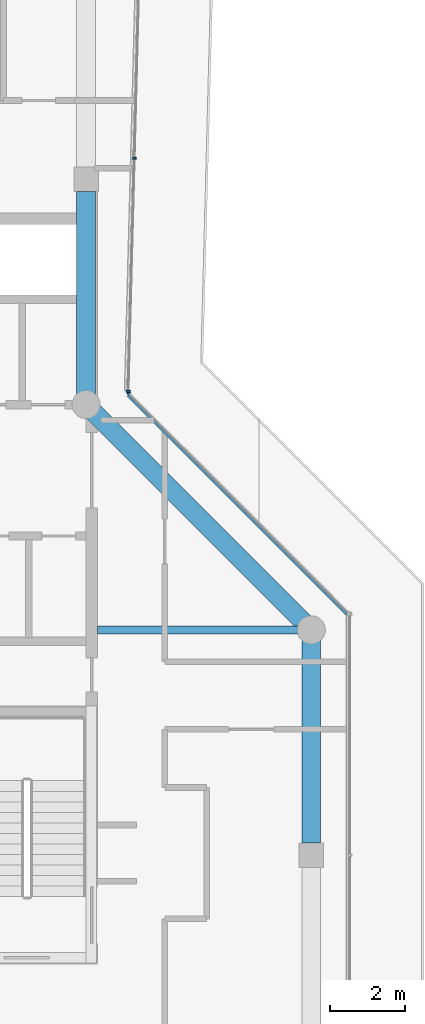
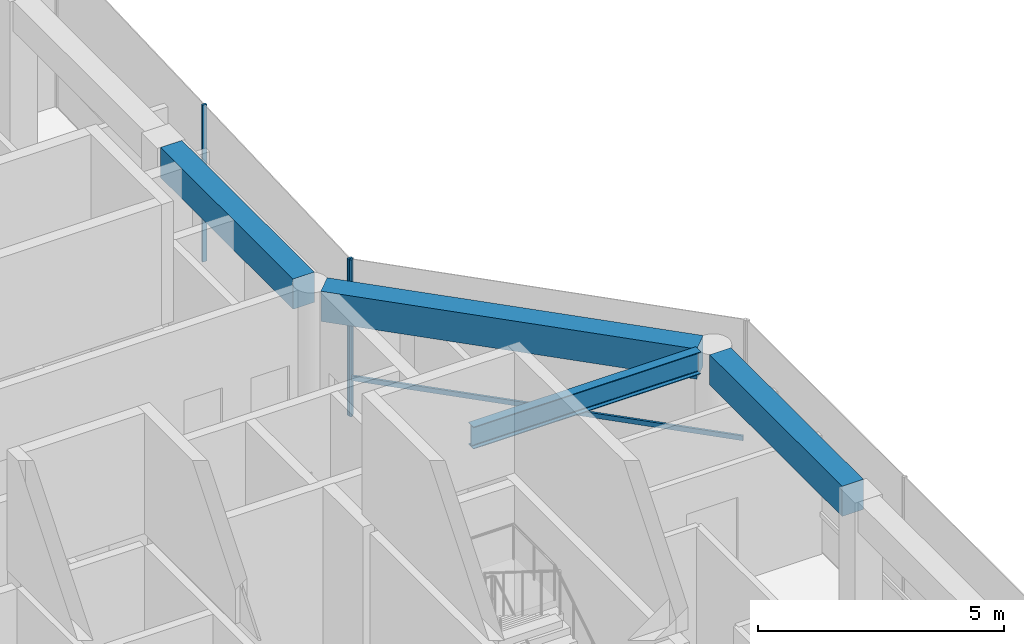
# One storey, part 5 of 15: 4 beams, 4 members, 2 elements without a shape of their own.
"""IFC4 building model written with IfcOpenShell, lengths in metres."""

from ifc_helpers import new_model, si_unit, direction, frame, origin, origin_2d, place, context, subcontext, project, spatial, rectangle, i_section, extrude, material, layer, layer_set, material_profile, profile_set, type_object, element, aggregate, save


model = new_model("IFC4")

# Units and contexts
model_context = context("Model", 3, precision=1e-05, world=origin(), true_north=direction((0.0, 1.0)))
body_context = subcontext(model_context, "Body", "Model", "MODEL_VIEW")
ifc_project = project(units=[si_unit("LENGTHUNIT", "METRE"), si_unit("AREAUNIT", "SQUARE_METRE"), si_unit("VOLUMEUNIT", "CUBIC_METRE"), si_unit("PLANEANGLEUNIT", "RADIAN"), si_unit("MASSUNIT", "GRAM", prefix="KILO")], contexts=[model_context])

# Site, building, storey
site_placement = place(None, origin())
site = spatial("IfcSite", under=ifc_project, at=site_placement, CompositionType="ELEMENT")
building_placement = place(site_placement, origin())
building = spatial("IfcBuilding", under=site, at=building_placement, Name="Welwitschia Terrace Campus", CompositionType="ELEMENT")
storey_placement = place(building_placement, frame((0.0, 0.0, 339.800048828125)))
storey = spatial("IfcBuildingStorey", under=building, at=storey_placement, Name="L76", CompositionType="ELEMENT", Elevation=339.800048828125)

# Beam
ifc_material_1 = material(Name="Steel S355", Category="steel")
ifc_material_profile_1 = material_profile(ifc_material_1, i_section(OverallWidth=0.2099609375, OverallDepth=0.550048828125, WebThickness=0.010986328125, FlangeThickness=0.01708984375, FilletRadius=0.02392578125, at=origin_2d()))
ifc_profile_set_1 = profile_set([ifc_material_profile_1], Name="Steel S355")
beam_type_1 = type_object("IfcBeamType", Name="Interior girder IPE 550", PredefinedType="BEAM", material=ifc_profile_set_1)
beam_1_placement = place(storey_placement, frame((24.301025390625, 14.0, 3.625), z_axis=(1.0, 0.0, 0.0), x_axis=(0.0, 1.0, 0.0)))
element("IfcBeam", 1, at=beam_1_placement, inside=storey, type_object=beam_type_1, Name="Girder GB7", PredefinedType="BEAM", context=body_context, shape_type="SweptSolid", body=[
    extrude(i_section(OverallWidth=0.2099609375, OverallDepth=0.550048828125, WebThickness=0.010986328125, FlangeThickness=0.01708984375, FilletRadius=0.02392578125, at=origin_2d()), origin(), (0.0, 0.0, 1.0), 5.348388671875),
])

# Curtain wall, member
ifc_material_2 = material(Name="Bronze anodised aluminium", Category="aluminium")
ifc_layer = layer(ifc_material_2, 0.10009765625)
ifc_layer_set = layer_set([ifc_layer], Name="Bronze anodised aluminium")
curtain_wall_type = type_object("IfcCurtainWallType", Name="Curtain wall CW5 crown 6000", PredefinedType="NOTDEFINED", material=ifc_layer_set)
curtain_wall_1_placement = place(storey_placement, origin())
curtain_wall_1 = element("IfcCurtainWall", 2, at=curtain_wall_1_placement, inside=storey, type_object=curtain_wall_type, Name="CW L76.6.0", PredefinedType="NOTDEFINED")
ifc_material_3 = material(Name="Bronze anodised aluminium", Category="aluminium")
ifc_material_profile_2 = material_profile(ifc_material_3, rectangle(XDim=0.10009765625, YDim=0.050048828125, at=origin_2d()))
ifc_profile_set_2 = profile_set([ifc_material_profile_2], Name="Bronze anodised aluminium")
member_type_1 = type_object("IfcMemberType", Name="Mullion 50x100", PredefinedType="MULLION", material=ifc_profile_set_2)
member_1_placement = place(storey_placement, frame((25.141845703125, 20.314697265625, 0.0), z_axis=(0.0, 0.0, 1.0), x_axis=(-0.707106781187, -0.707106781187, 0.0)))
member_1 = element("IfcMember", 3, at=member_1_placement, type_object=member_type_1, Name="Mullion L76.6.0.1", PredefinedType="MULLION", context=body_context, shape_type="SweptSolid", body=[
    extrude(rectangle(XDim=0.10009765625, YDim=0.050048828125, at=origin_2d()), origin(), (0.0, 0.0, 1.0), 3.89990234375),
])

# Curtain wall, members
curtain_wall_2_placement = place(storey_placement, origin())
curtain_wall_2 = element("IfcCurtainWall", 4, at=curtain_wall_2_placement, inside=storey, type_object=curtain_wall_type, Name="CW L76.7.0", PredefinedType="NOTDEFINED")
member_2_placement = place(storey_placement, frame((25.124755859375, 20.357421875, 0.0), z_axis=(0.0, 0.0, 1.0), x_axis=(-0.999657324976, 0.026176948308, 0.0)))
member_2 = element("IfcMember", 5, at=member_2_placement, type_object=member_type_1, Name="Mullion L76.7.0.0", PredefinedType="MULLION", context=body_context, shape_type="SweptSolid", body=[
    extrude(rectangle(XDim=0.10009765625, YDim=0.050048828125, at=origin_2d()), origin(), (0.0, 0.0, 1.0), 3.89990234375),
])
member_3_placement = place(storey_placement, frame((25.287353515625, 26.56494140625, 0.0), z_axis=(0.0, 0.0, 1.0), x_axis=(-0.999657324976, 0.026176948308, 0.0)))
member_3 = element("IfcMember", 6, at=member_3_placement, type_object=member_type_1, Name="Mullion L76.7.0.1", PredefinedType="MULLION", context=body_context, shape_type="SweptSolid", body=[
    extrude(rectangle(XDim=0.10009765625, YDim=0.050048828125, at=origin_2d()), origin(), (0.0, 0.0, 1.0), 3.89990234375),
])
aggregate(curtain_wall_2, [member_2, member_3])

# Beams
ifc_material_4 = material(Name="Concrete C40/50", Category="concrete")
ifc_material_profile_3 = material_profile(ifc_material_4, rectangle(XDim=0.5, YDim=0.75, at=origin_2d()))
ifc_profile_set_3 = profile_set([ifc_material_profile_3], Name="Concrete C40/50")
beam_type_2 = type_object("IfcBeamType", Name="Ring spandrel 500x750", PredefinedType="SPANDREL", material=ifc_profile_set_3)
beam_2_placement = place(storey_placement, frame((30.0, 8.325439453125, 3.52490234375), z_axis=(0.0, 1.0, 0.0), x_axis=(-1.0, 0.0, 0.0)))
element("IfcBeam", 7, at=beam_2_placement, inside=storey, type_object=beam_type_2, Name="Spandrel SP5", PredefinedType="SPANDREL", context=body_context, shape_type="SweptSolid", body=[
    extrude(rectangle(XDim=0.5, YDim=0.75, at=origin_2d()), origin(), (0.0, 0.0, 1.0), 5.39404296875),
])
beam_3_placement = place(storey_placement, frame((29.8017578125, 14.1982421875, 3.52490234375), z_axis=(-0.707106781187, 0.707106781187, 0.0), x_axis=(-0.707106781187, -0.707106781187, 0.0)))
element("IfcBeam", 8, at=beam_3_placement, inside=storey, type_object=beam_type_2, Name="Spandrel SP5", PredefinedType="SPANDREL", context=body_context, shape_type="SweptSolid", body=[
    extrude(rectangle(XDim=0.5, YDim=0.75, at=origin_2d()), origin(), (0.0, 0.0, 1.0), 7.924560546875),
])
beam_4_placement = place(storey_placement, frame((24.0, 20.280517578125, 3.52490234375), z_axis=(0.0, 1.0, 0.0), x_axis=(-1.0, 0.0, 0.0)))
element("IfcBeam", 9, at=beam_4_placement, inside=storey, type_object=beam_type_2, Name="Spandrel SP5", PredefinedType="SPANDREL", context=body_context, shape_type="SweptSolid", body=[
    extrude(rectangle(XDim=0.5, YDim=0.75, at=origin_2d()), origin(), (0.0, 0.0, 1.0), 5.39404296875),
])

# Member
ifc_material_5 = material(Name="Bronze anodised aluminium", Category="aluminium")
ifc_material_profile_4 = material_profile(ifc_material_5, rectangle(XDim=0.050048828125, YDim=0.1201171875, at=origin_2d()))
ifc_profile_set_4 = profile_set([ifc_material_profile_4], Name="Bronze anodised aluminium")
member_type_2 = type_object("IfcMemberType", Name="Transom 50x120", PredefinedType="USERDEFINED", material=ifc_profile_set_4)
member_4_placement = place(storey_placement, frame((30.941650390625, 14.408935546875, 1.0), z_axis=(-0.707106781187, 0.707106781187, 0.0), x_axis=(-0.707106781187, -0.707106781187, 0.0)))
member_4 = element("IfcMember", 10, at=member_4_placement, type_object=member_type_2, Name="Transom L76.6.0", ObjectType="TRANSOM", PredefinedType="USERDEFINED", context=body_context, shape_type="SweptSolid", body=[
    extrude(rectangle(XDim=0.050048828125, YDim=0.1201171875, at=origin_2d()), origin(), (0.0, 0.0, 1.0), 8.252197265625),
])

aggregate(curtain_wall_1, [member_1, member_4])

save(model, "model.ifc")
